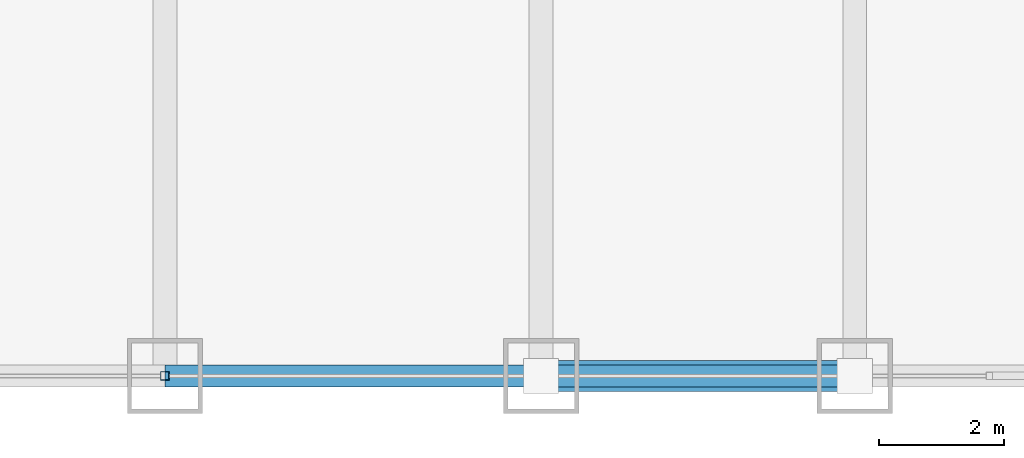
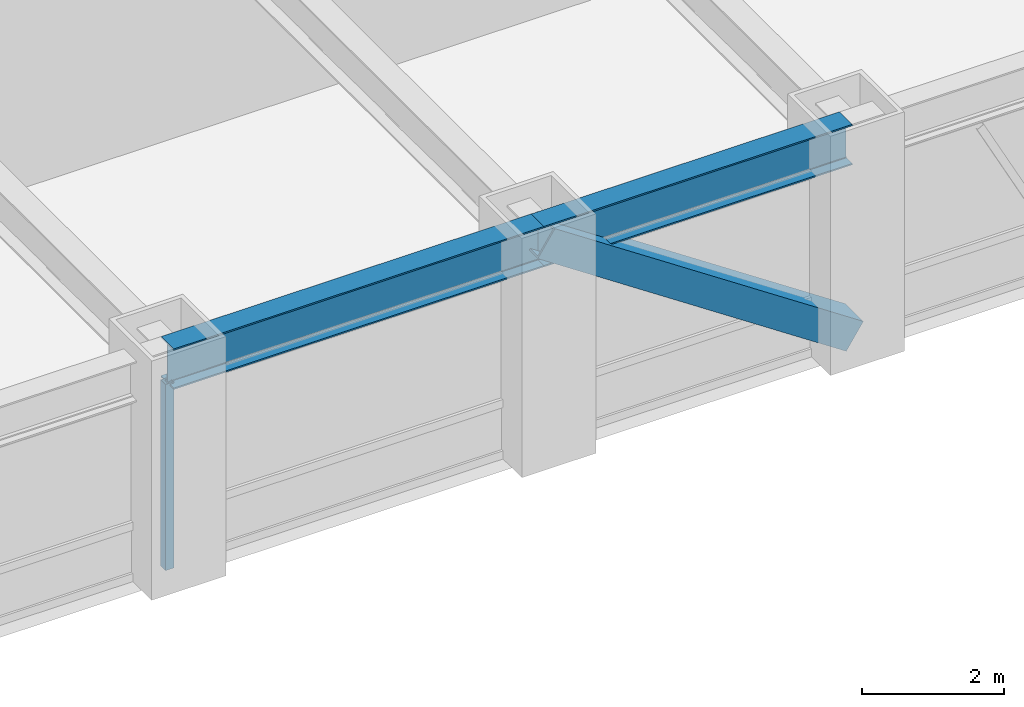
# One storey, part 4 of 28: 2 beams, 2 members, 1 element without a shape of its own.
"""IFC4 building model written with IfcOpenShell, lengths in metres."""

from ifc_helpers import new_model, si_unit, direction, frame, origin, origin_2d, place, context, subcontext, project, spatial, hollow_rectangle, i_section, extrude, source, transform, mapped, material, material_profile, profile_set, type_object, element, aggregate, save


model = new_model("IFC4")

# Units and contexts
model_context = context("Model", 3, precision=1e-05, world=origin(), true_north=direction((0.0, 1.0)))
body_context = subcontext(model_context, "Body", "Model", "MODEL_VIEW")
ifc_project = project(units=[si_unit("LENGTHUNIT", "METRE"), si_unit("AREAUNIT", "SQUARE_METRE"), si_unit("VOLUMEUNIT", "CUBIC_METRE"), si_unit("PLANEANGLEUNIT", "RADIAN"), si_unit("MASSUNIT", "GRAM", prefix="KILO")], contexts=[model_context])

# Site, building, storey
site_placement = place(None, origin())
site = spatial("IfcSite", under=ifc_project, at=site_placement, CompositionType="ELEMENT")
building_placement = place(site_placement, origin())
building = spatial("IfcBuilding", under=site, at=building_placement, Name="Khorayat Bourse Tower", CompositionType="ELEMENT")
storey_placement = place(building_placement, frame((0.0, 0.0, 120.10009765625)))
storey = spatial("IfcBuildingStorey", under=building, at=storey_placement, Name="L27", CompositionType="ELEMENT", Elevation=120.10009765625)

# Beams
ifc_material_1 = material(Name="Steel ASTM A992 Grade 50", Category="steel")
ifc_material_profile_1 = material_profile(ifc_material_1, i_section(OverallWidth=0.35498046875, OverallDepth=0.695068359375, WebThickness=0.015380859375, FlangeThickness=0.02490234375, FilletRadius=0.01806640625, at=origin_2d()), Name="W690X217")
ifc_profile_set_1 = profile_set([ifc_material_profile_1], Name="Steel ASTM A992 Grade 50")
beam_type = type_object("IfcBeamType", Name="BM-SPAN-690", PredefinedType="SPANDREL", material=ifc_profile_set_1)
shared_shape_1 = source(origin(), body_context, "Body", "SweptSolid", [
    extrude(i_section(OverallWidth=0.35498046875, OverallDepth=0.695068359375, WebThickness=0.015380859375, FlangeThickness=0.02490234375, FilletRadius=0.01806640625, at=origin_2d()), origin(), (0.0, 0.0, 1.0), 5.0),
])
beam_1_placement = place(storey_placement, frame((6.0, -32.0, 3.492431640625), z_axis=(1.0, 0.0, 0.0), x_axis=(0.0, 1.0, 0.0)))
element("IfcBeam", 1, at=beam_1_placement, inside=storey, type_object=beam_type, Name="L27 BM-SPAN-690 BM-L27-SPN-029", PredefinedType="SPANDREL", context=body_context, shape_type="MappedRepresentation", body=[
    mapped(shared_shape_1, transform((0.0, 0.0, 0.0), scale=1.0)),
])
shared_shape_2 = source(origin(), body_context, "Body", "SweptSolid", [
    extrude(i_section(OverallWidth=0.35498046875, OverallDepth=0.695068359375, WebThickness=0.015380859375, FlangeThickness=0.02490234375, FilletRadius=0.01806640625, at=origin_2d()), origin(), (0.0, 0.0, 1.0), 6.0),
])
beam_2_placement = place(storey_placement, frame((0.0, -32.0, 3.492431640625), z_axis=(1.0, 0.0, 0.0), x_axis=(0.0, 1.0, 0.0)))
element("IfcBeam", 2, at=beam_2_placement, inside=storey, type_object=beam_type, Name="L27 BM-SPAN-690 BM-L27-SPN-028", PredefinedType="SPANDREL", context=body_context, shape_type="MappedRepresentation", body=[
    mapped(shared_shape_2, transform((0.0, 0.0, 0.0), scale=1.0)),
])

# Member
ifc_material_2 = material(Name="Steel EN 10025-4 S460M", Category="steel")
ifc_material_profile_2 = material_profile(ifc_material_2, hollow_rectangle(XDim=0.5, YDim=0.5, WallThickness=0.028076171875, at=origin_2d()), Name="HSS 500x500x28")
ifc_profile_set_2 = profile_set([ifc_material_profile_2], Name="Steel EN 10025-4 S460M")
member_type_1 = type_object("IfcMemberType", Name="MBR-TUBE-500", PredefinedType="BRACE", material=ifc_profile_set_2)
shared_shape_3 = source(origin(), body_context, "Body", "SweptSolid", [
    extrude(hollow_rectangle(XDim=0.5, YDim=0.5, WallThickness=0.028076171875, at=origin_2d()), origin(), (0.0, 0.0, 1.0), 6.012939453125),
])
member_1_placement = place(storey_placement, frame((6.0, -32.0, 3.58984375), z_axis=(0.831550226979, 0.0, -0.555449565677), x_axis=(0.0, 1.0, 0.0)))
element("IfcMember", 3, at=member_1_placement, inside=storey, type_object=member_type_1, Name="L27 Perimeter Tube Brace 02", PredefinedType="BRACE", context=body_context, shape_type="MappedRepresentation", body=[
    mapped(shared_shape_3, transform((0.0, 0.0, 0.0), scale=1.0)),
])

# Curtain wall, member
ifc_material_3 = material(Name="Aluminium EN AW-6063 T6", Category="aluminium")
curtain_wall_type = type_object("IfcCurtainWallType", Name="CW-SYS-02", PredefinedType="NOTDEFINED", material=ifc_material_3)
curtain_wall_placement = place(storey_placement, origin())
curtain_wall = element("IfcCurtainWall", 4, at=curtain_wall_placement, inside=storey, type_object=curtain_wall_type, Name="L27 Curtain Wall CW-L27-S1", PredefinedType="NOTDEFINED")
ifc_material_profile_3 = material_profile(ifc_material_3, hollow_rectangle(XDim=0.139892578125, YDim=0.139892578125, WallThickness=0.006103515625, at=origin_2d()), Name="ALU 140x140x6")
ifc_profile_set_3 = profile_set([ifc_material_profile_3], Name="Aluminium EN AW-6063 T6")
member_type_2 = type_object("IfcMemberType", Name="CWM-VERT-140", PredefinedType="MULLION", material=ifc_profile_set_3)
shared_shape_4 = source(origin(), body_context, "Body", "SweptSolid", [
    extrude(hollow_rectangle(XDim=0.139892578125, YDim=0.139892578125, WallThickness=0.006103515625, at=origin_2d()), origin(), (0.0, 0.0, 1.0), 3.18994140625),
])
member_2_placement = place(storey_placement, frame((0.0, -32.0, 0.0), z_axis=(0.0, 0.0, 1.0), x_axis=(0.0, 1.0, 0.0)))
member_2 = element("IfcMember", 5, at=member_2_placement, type_object=member_type_2, Name="CW-L27-S1 Vertical Mullion 2", PredefinedType="MULLION", context=body_context, shape_type="MappedRepresentation", body=[
    mapped(shared_shape_4, transform((0.0, 0.0, 0.0), scale=1.0)),
])
aggregate(curtain_wall, [member_2])

save(model, "model.ifc")
